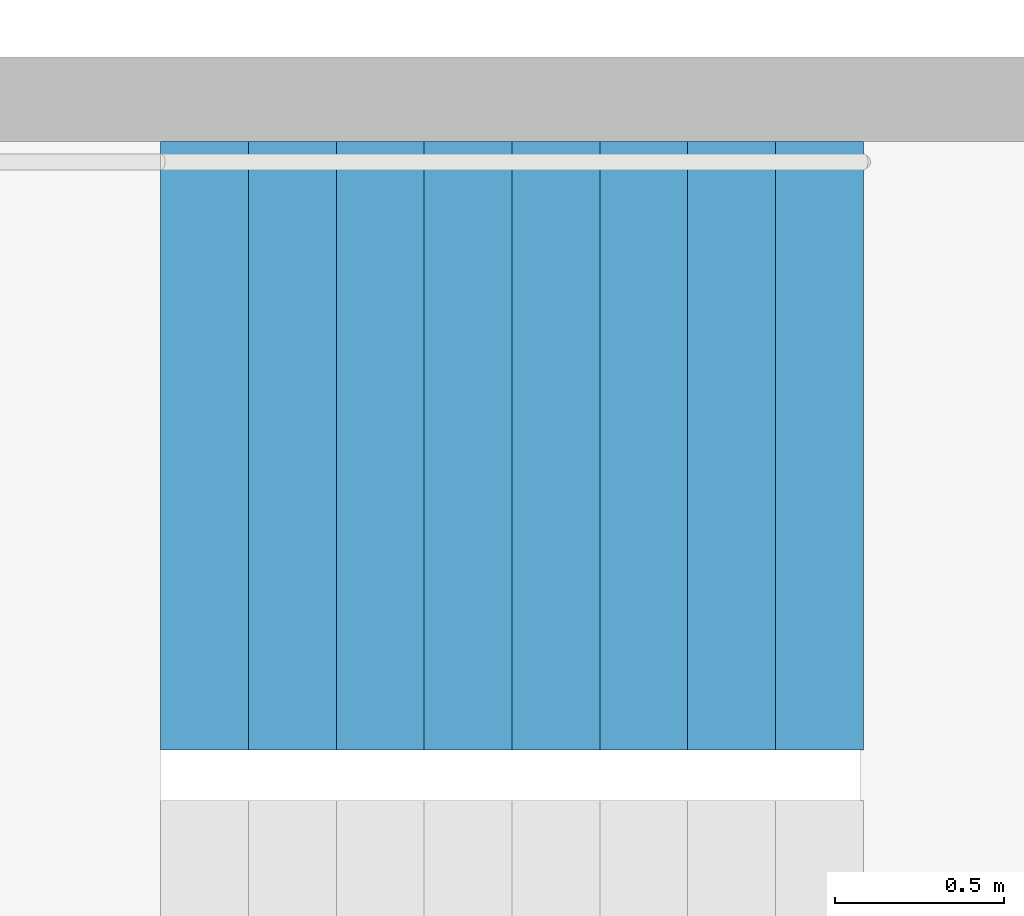
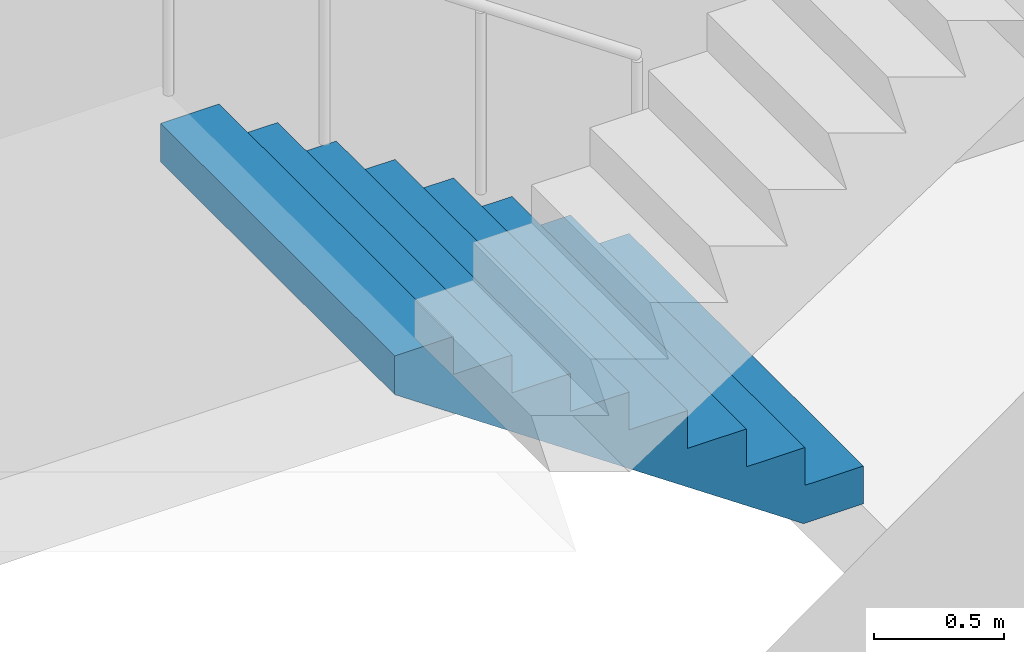
# One storey, part 21 of 28: 1 stair flight, 1 element without a shape of its own.
"""IFC4 building model written with IfcOpenShell, lengths in metres."""

import ifcopenshell
import ifcopenshell.guid

model = None  # the IFC model being written
_history = None  # IfcOwnerHistory: only IFC2X3 demands one
_inside = {}  # id of a spatial element -> (the spatial element, [elements in it])
_under = {}  # id of a project, library or spatial element -> (it, [spatial elements below it])
_declared = {}  # id of a project -> (the project, [libraries it declares])
_typed = {}  # id of a type object -> (the type object, [elements of that type])
_made_of = {}  # id of a material, layer set ... -> (it, [elements and type objects made of it])


def new_model(schema):
    """Start an empty IFC model of exactly this schema.

    Asked for "IFC4X3", IfcOpenShell would pick the latest addendum, in which some entities
    have other attributes; the version numbers below select the first issue.
    IFC2X3 requires an IfcOwnerHistory on every rooted entity: one is made here for all.
    """
    global model, _history
    if schema == "IFC4X3":
        model = ifcopenshell.file(schema_version=(4, 3, 0, 0))
    else:
        model = ifcopenshell.file(schema=schema)
    _inside.clear()
    _under.clear()
    _declared.clear()
    _typed.clear()
    _made_of.clear()
    _history = None
    if model.schema == "IFC2X3":
        org = make("IfcOrganization", Name="unknown")
        user = make(
            "IfcPersonAndOrganization",
            ThePerson=make("IfcPerson", FamilyName="unknown"),
            TheOrganization=org,
        )
        app = make(
            "IfcApplication",
            ApplicationDeveloper=org,
            Version="unknown",
            ApplicationFullName="unknown",
            ApplicationIdentifier="unknown",
        )
        _history = make(
            "IfcOwnerHistory",
            OwningUser=user,
            OwningApplication=app,
            ChangeAction="ADDED",
            CreationDate=0,
        )
    return model


def make(cls, **values):
    """One entity of the class cls with the attributes given. An attribute that is None is left unset."""
    return model.create_entity(
        cls, **{name: value for name, value in values.items() if value is not None}
    )


def rooted(cls, **values):
    """An entity with a GlobalId (a new one), such as an element, a storey or a relation."""
    return make(cls, GlobalId=ifcopenshell.guid.new(), OwnerHistory=_history, **values)


def si_unit(unit_type, name, prefix=None):
    """IfcSIUnit, for example si_unit("LENGTHUNIT", "METRE", prefix="MILLI")."""
    return make("IfcSIUnit", UnitType=unit_type, Prefix=prefix, Name=name)


def assignment(units):
    """IfcUnitAssignment: the units of a project."""
    return None if units is None else make("IfcUnitAssignment", Units=units)


def point(xyz):
    """IfcCartesianPoint."""
    return None if xyz is None else make("IfcCartesianPoint", Coordinates=xyz)


def direction(xyz):
    """IfcDirection."""
    return None if xyz is None else make("IfcDirection", DirectionRatios=xyz)


def frame(location, z_axis=None, x_axis=None):
    """IfcAxis2Placement3D, a coordinate frame: its origin and axes. An axis left out is left unset."""
    return make(
        "IfcAxis2Placement3D",
        Location=point(location),
        Axis=direction(z_axis),
        RefDirection=direction(x_axis),
    )


def origin():
    """The frame at (0, 0, 0) with its axes left unset."""
    return frame((0.0, 0.0, 0.0))


def place(relative_to, where):
    """IfcLocalPlacement: puts the frame where relative to a parent placement (None: the world)."""
    return make(
        "IfcLocalPlacement", PlacementRelTo=relative_to, RelativePlacement=where
    )


def context(
    kind, dimensions, precision=None, world=None, true_north=None, identifier=None
):
    """IfcGeometricRepresentationContext, for example the 3D "Model" context."""
    return make(
        "IfcGeometricRepresentationContext",
        ContextIdentifier=identifier,
        ContextType=kind,
        CoordinateSpaceDimension=dimensions,
        Precision=precision,
        WorldCoordinateSystem=world,
        TrueNorth=true_north,
    )


def subcontext(parent, identifier, kind, view, scale=None):
    """IfcGeometricRepresentationSubContext, for example "Body" below "Model"."""
    return make(
        "IfcGeometricRepresentationSubContext",
        ContextIdentifier=identifier,
        ContextType=kind,
        ParentContext=parent,
        TargetScale=scale,
        TargetView=view,
    )


def project(units=None, contexts=None):
    """IfcProject with its units and contexts."""
    return rooted(
        "IfcProject",
        Name="project",
        RepresentationContexts=contexts,
        UnitsInContext=assignment(units),
    )


def spatial(cls, under=None, at=None, **own):
    """A site, building, storey or space (cls), placed at a placement, below another one or the project."""
    s = rooted(cls, ObjectPlacement=at, **own)
    if under is not None:
        _under.setdefault(under.id(), (under, []))[1].append(s)
    return s


def point_list(points):
    """IfcCartesianPointList2D or 3D."""
    cls = (
        "IfcCartesianPointList2D" if len(points[0]) == 2 else "IfcCartesianPointList3D"
    )
    return make(cls, CoordList=points)


def triangles(points, corners, closed=None, point_numbers=None):
    """IfcTriangulatedFaceSet: each triangle names its three corners, points numbered from 1."""
    return make(
        "IfcTriangulatedFaceSet",
        Coordinates=point_list(points),
        Closed=closed,
        CoordIndex=corners,
        PnIndex=point_numbers,
    )


def shape(context_of_items, identifier, shape_type, items):
    """IfcShapeRepresentation: the items that make up one representation, for example the "Body"."""
    return make(
        "IfcShapeRepresentation",
        ContextOfItems=context_of_items,
        RepresentationIdentifier=identifier,
        RepresentationType=shape_type,
        Items=items,
    )


def material(Name=None, Category=None):
    """IfcMaterial."""
    return make("IfcMaterial", Name=Name, Category=Category)


def made_of(thing, what):
    """Note that an element or type object is made of a material, layer set ...; save() writes the relation."""
    if what is not None:
        _made_of.setdefault(what.id(), (what, []))[1].append(thing)
    return thing


def type_object(cls, material=None, **own):
    """A type object (cls), such as IfcWallType, which elements share."""
    return made_of(rooted(cls, **own), material)


def element(
    cls,
    number,
    at=None,
    inside=None,
    cuts=None,
    type_object=None,
    material=None,
    context=None,
    identifier="Body",
    shape_type=None,
    held_by="IfcProductDefinitionShape",
    body=None,
    shapes=None,
    **own,
):
    """One element of the class cls, such as IfcWall. Its Tag is "e" and its number.

    at: its placement. inside: the storey or other place that contains it. cuts: it is an
    opening in that element (IfcRelVoidsElement). A single representation is given by context,
    identifier, shape_type and body (its items); several are given by shapes. held_by: the class
    of the entity that holds the representations. save() writes the other relations.
    """
    e = rooted(cls, Tag="e%d" % number, ObjectPlacement=at, **own)
    if body is not None:
        shapes = [shape(context, identifier, shape_type, body)]
    if shapes is not None:
        e.Representation = make(held_by, Representations=shapes)
    if inside is not None:
        _inside.setdefault(inside.id(), (inside, []))[1].append(e)
    if cuts is not None:
        rooted(
            "IfcRelVoidsElement", RelatingBuildingElement=cuts, RelatedOpeningElement=e
        )
    if type_object is not None:
        _typed.setdefault(type_object.id(), (type_object, []))[1].append(e)
    return made_of(e, material)


def aggregate(whole, parts):
    """IfcRelAggregates: a whole, such as a stair, and the parts it consists of."""
    return rooted("IfcRelAggregates", RelatingObject=whole, RelatedObjects=parts)


def save(model, path):
    """Write the relations noted so far, then the file.

    IfcRelAggregates (storeys below a building ...), IfcRelContainedInSpatialStructure (elements
    in a storey), IfcRelDefinesByType, IfcRelAssociatesMaterial and IfcRelDeclares: one each for
    every whole, place, type object, material and project.
    """
    for whole, parts in _under.values():
        aggregate(whole, parts)
    for where, things in _inside.values():
        rooted(
            "IfcRelContainedInSpatialStructure",
            RelatedElements=things,
            RelatingStructure=where,
        )
    for kind, things in _typed.values():
        rooted("IfcRelDefinesByType", RelatedObjects=things, RelatingType=kind)
    for what, things in _made_of.values():
        rooted("IfcRelAssociatesMaterial", RelatedObjects=things, RelatingMaterial=what)
    for by, libraries in _declared.values():
        rooted("IfcRelDeclares", RelatingContext=by, RelatedDefinitions=libraries)
    model.write(path)


model = new_model("IFC4")

# Units and contexts
model_context = context("Model", 3, precision=1e-05, world=origin(), true_north=direction((0.0, 1.0)))
body_context = subcontext(model_context, "Body", "Model", "MODEL_VIEW")
ifc_project = project(units=[si_unit("LENGTHUNIT", "METRE"), si_unit("AREAUNIT", "SQUARE_METRE"), si_unit("VOLUMEUNIT", "CUBIC_METRE"), si_unit("PLANEANGLEUNIT", "RADIAN"), si_unit("MASSUNIT", "GRAM", prefix="KILO")], contexts=[model_context])

# Site, building, storey
site_placement = place(None, origin())
site = spatial("IfcSite", under=ifc_project, at=site_placement, CompositionType="ELEMENT")
building_placement = place(site_placement, origin())
building = spatial("IfcBuilding", under=site, at=building_placement, Name="Hakoniwa Tower and Hamabe Station Hall", CompositionType="ELEMENT")
storey_placement = place(building_placement, frame((0.0, 0.0, 42.199951171875)))
storey = spatial("IfcBuildingStorey", under=building, at=storey_placement, Name="L11", CompositionType="ELEMENT", Elevation=42.199951171875)

# Stair, stair flight
ifc_material_1 = material(Name="Concrete C40", Category="concrete")
stair_type = type_object("IfcStairType", Name="ESCAPE STAIR 1800", PredefinedType="HALF_TURN_STAIR", material=ifc_material_1)
stair_placement = place(storey_placement, origin())
stair = element("IfcStair", 1, at=stair_placement, inside=storey, type_object=stair_type, Name="Escape stair ST-2 L11", PredefinedType="HALF_TURN_STAIR")
ifc_material_2 = material(Name="Concrete C40", Category="concrete")
stair_flight_type = type_object("IfcStairFlightType", Name="STAIR FLIGHT 1800", PredefinedType="STRAIGHT", material=ifc_material_2)
stair_flight_placement = place(storey_placement, frame((-23.39990234375, -4.64990234375, 0.0), z_axis=(0.0, 0.0, 1.0), x_axis=(-1.0, 0.0, 0.0)))
stair_flight = element("IfcStairFlight", 2, at=stair_flight_placement, type_object=stair_flight_type, Name="ST-2 flight 1", NumberOfRisers=9, NumberOfTreads=8, PredefinedType="STRAIGHT", RiserHeight=0.177777778, TreadLength=0.26, context=body_context, shape_type="Tessellation", body=[
    triangles([(0.0, 0.89990234375, 0.0), (0.260009765625, 0.89990234375, 0.0), (0.265625, 0.89990234375, 0.0), (0.52001953125, 0.89990234375, 0.174072265625), (0.780029296875, 0.89990234375, 0.351806640625), (1.0400390625, 0.89990234375, 0.529541015625), (1.300048828125, 0.89990234375, 0.707275390625), (1.56005859375, 0.89990234375, 0.885009765625), (1.820068359375, 0.89990234375, 1.062744140625), (2.080078125, 0.89990234375, 1.24072265625), (2.080078125, 0.89990234375, 1.422119140625), (1.820068359375, 0.89990234375, 1.422119140625), (1.820068359375, 0.89990234375, 1.244384765625), (1.56005859375, 0.89990234375, 1.244384765625), (1.56005859375, 0.89990234375, 1.066650390625), (1.300048828125, 0.89990234375, 1.066650390625), (1.300048828125, 0.89990234375, 0.888916015625), (1.0400390625, 0.89990234375, 0.888916015625), (1.0400390625, 0.89990234375, 0.711181640625), (0.780029296875, 0.89990234375, 0.711181640625), (0.780029296875, 0.89990234375, 0.533447265625), (0.52001953125, 0.89990234375, 0.533447265625), (0.52001953125, 0.89990234375, 0.35546875), (0.265625, 0.89990234375, 0.35546875), (0.260009765625, 0.89990234375, 0.35546875), (0.260009765625, 0.89990234375, 0.177734375), (0.0, 0.89990234375, 0.177734375), (0.0, 0.06005859375, 0.0), (0.260009765625, 0.06005859375, 0.0), (0.265625, 0.06005859375, 0.0), (0.52001953125, 0.06005859375, 0.174072265625), (0.780029296875, 0.06005859375, 0.351806640625), (1.0400390625, 0.06005859375, 0.529541015625), (1.300048828125, 0.06005859375, 0.707275390625), (1.56005859375, 0.06005859375, 0.885009765625), (1.820068359375, 0.06005859375, 1.062744140625), (2.080078125, 0.06005859375, 1.24072265625), (2.080078125, 0.06005859375, 1.422119140625), (1.820068359375, 0.06005859375, 1.422119140625), (1.820068359375, 0.06005859375, 1.244384765625), (1.56005859375, 0.06005859375, 1.244384765625), (1.56005859375, 0.06005859375, 1.066650390625), (1.300048828125, 0.06005859375, 1.066650390625), (1.300048828125, 0.06005859375, 0.888916015625), (1.0400390625, 0.06005859375, 0.888916015625), (1.0400390625, 0.06005859375, 0.711181640625), (0.780029296875, 0.06005859375, 0.711181640625), (0.780029296875, 0.06005859375, 0.533447265625), (0.52001953125, 0.06005859375, 0.533447265625), (0.52001953125, 0.06005859375, 0.35546875), (0.265625, 0.06005859375, 0.35546875), (0.260009765625, 0.06005859375, 0.35546875), (0.260009765625, 0.06005859375, 0.177734375), (0.0, 0.06005859375, 0.177734375), (0.0, 0.04296875, 0.0), (0.260009765625, 0.04296875, 0.0), (0.265625, 0.04296875, 0.0), (0.52001953125, 0.04296875, 0.174072265625), (0.780029296875, 0.04296875, 0.351806640625), (1.0400390625, 0.04296875, 0.529541015625), (1.300048828125, 0.04296875, 0.707275390625), (1.56005859375, 0.04296875, 0.885009765625), (1.820068359375, 0.04296875, 1.062744140625), (2.080078125, 0.04296875, 1.24072265625), (2.080078125, 0.04296875, 1.422119140625), (1.820068359375, 0.04296875, 1.422119140625), (1.820068359375, 0.04296875, 1.244384765625), (1.56005859375, 0.04296875, 1.244384765625), (1.56005859375, 0.04296875, 1.066650390625), (1.300048828125, 0.04296875, 1.066650390625), (1.300048828125, 0.04296875, 0.888916015625), (1.0400390625, 0.04296875, 0.888916015625), (1.0400390625, 0.04296875, 0.711181640625), (0.780029296875, 0.04296875, 0.711181640625), (0.780029296875, 0.04296875, 0.533447265625), (0.52001953125, 0.04296875, 0.533447265625), (0.52001953125, 0.04296875, 0.35546875), (0.265625, 0.04296875, 0.35546875), (0.260009765625, 0.04296875, 0.35546875), (0.260009765625, 0.04296875, 0.177734375), (0.0, 0.04296875, 0.177734375), (0.0, 0.025634765625, 0.0), (0.260009765625, 0.025634765625, 0.0), (0.265625, 0.025634765625, 0.0), (0.52001953125, 0.025634765625, 0.174072265625), (0.780029296875, 0.025634765625, 0.351806640625), (1.0400390625, 0.025634765625, 0.529541015625), (1.300048828125, 0.025634765625, 0.707275390625), (1.56005859375, 0.025634765625, 0.885009765625), (1.820068359375, 0.025634765625, 1.062744140625), (2.080078125, 0.025634765625, 1.24072265625), (2.080078125, 0.025634765625, 1.422119140625), (1.820068359375, 0.025634765625, 1.422119140625), (1.820068359375, 0.025634765625, 1.244384765625), (1.56005859375, 0.025634765625, 1.244384765625), (1.56005859375, 0.025634765625, 1.066650390625), (1.300048828125, 0.025634765625, 1.066650390625), (1.300048828125, 0.025634765625, 0.888916015625), (1.0400390625, 0.025634765625, 0.888916015625), (1.0400390625, 0.025634765625, 0.711181640625), (0.780029296875, 0.025634765625, 0.711181640625), (0.780029296875, 0.025634765625, 0.533447265625), (0.52001953125, 0.025634765625, 0.533447265625), (0.52001953125, 0.025634765625, 0.35546875), (0.265625, 0.025634765625, 0.35546875), (0.260009765625, 0.025634765625, 0.35546875), (0.260009765625, 0.025634765625, 0.177734375), (0.0, 0.025634765625, 0.177734375), (0.0, 0.008544921875, 0.0), (0.260009765625, 0.008544921875, 0.0), (0.265625, 0.008544921875, 0.0), (0.52001953125, 0.008544921875, 0.174072265625), (0.780029296875, 0.008544921875, 0.351806640625), (1.0400390625, 0.008544921875, 0.529541015625), (1.300048828125, 0.008544921875, 0.707275390625), (1.56005859375, 0.008544921875, 0.885009765625), (1.820068359375, 0.008544921875, 1.062744140625), (2.080078125, 0.008544921875, 1.24072265625), (2.080078125, 0.008544921875, 1.422119140625), (1.820068359375, 0.008544921875, 1.422119140625), (1.820068359375, 0.008544921875, 1.244384765625), (1.56005859375, 0.008544921875, 1.244384765625), (1.56005859375, 0.008544921875, 1.066650390625), (1.300048828125, 0.008544921875, 1.066650390625), (1.300048828125, 0.008544921875, 0.888916015625), (1.0400390625, 0.008544921875, 0.888916015625), (1.0400390625, 0.008544921875, 0.711181640625), (0.780029296875, 0.008544921875, 0.711181640625), (0.780029296875, 0.008544921875, 0.533447265625), (0.52001953125, 0.008544921875, 0.533447265625), (0.52001953125, 0.008544921875, 0.35546875), (0.265625, 0.008544921875, 0.35546875), (0.260009765625, 0.008544921875, 0.35546875), (0.260009765625, 0.008544921875, 0.177734375), (0.0, 0.008544921875, 0.177734375), (0.0, -0.008544921875, 0.0), (0.260009765625, -0.008544921875, 0.0), (0.265625, -0.008544921875, 0.0), (0.52001953125, -0.008544921875, 0.174072265625), (0.780029296875, -0.008544921875, 0.351806640625), (1.0400390625, -0.008544921875, 0.529541015625), (1.300048828125, -0.008544921875, 0.707275390625), (1.56005859375, -0.008544921875, 0.885009765625), (1.820068359375, -0.008544921875, 1.062744140625), (2.080078125, -0.008544921875, 1.24072265625), (2.080078125, -0.008544921875, 1.422119140625), (1.820068359375, -0.008544921875, 1.422119140625), (1.820068359375, -0.008544921875, 1.244384765625), (1.56005859375, -0.008544921875, 1.244384765625), (1.56005859375, -0.008544921875, 1.066650390625), (1.300048828125, -0.008544921875, 1.066650390625), (1.300048828125, -0.008544921875, 0.888916015625), (1.0400390625, -0.008544921875, 0.888916015625), (1.0400390625, -0.008544921875, 0.711181640625), (0.780029296875, -0.008544921875, 0.711181640625), (0.780029296875, -0.008544921875, 0.533447265625), (0.52001953125, -0.008544921875, 0.533447265625), (0.52001953125, -0.008544921875, 0.35546875), (0.265625, -0.008544921875, 0.35546875), (0.260009765625, -0.008544921875, 0.35546875), (0.260009765625, -0.008544921875, 0.177734375), (0.0, -0.008544921875, 0.177734375), (0.0, -0.025634765625, 0.0), (0.260009765625, -0.025634765625, 0.0), (0.265625, -0.025634765625, 0.0), (0.52001953125, -0.025634765625, 0.174072265625), (0.780029296875, -0.025634765625, 0.351806640625), (1.0400390625, -0.025634765625, 0.529541015625), (1.300048828125, -0.025634765625, 0.707275390625), (1.56005859375, -0.025634765625, 0.885009765625), (1.820068359375, -0.025634765625, 1.062744140625), (2.080078125, -0.025634765625, 1.24072265625), (2.080078125, -0.025634765625, 1.422119140625), (1.820068359375, -0.025634765625, 1.422119140625), (1.820068359375, -0.025634765625, 1.244384765625), (1.56005859375, -0.025634765625, 1.244384765625), (1.56005859375, -0.025634765625, 1.066650390625), (1.300048828125, -0.025634765625, 1.066650390625), (1.300048828125, -0.025634765625, 0.888916015625), (1.0400390625, -0.025634765625, 0.888916015625), (1.0400390625, -0.025634765625, 0.711181640625), (0.780029296875, -0.025634765625, 0.711181640625), (0.780029296875, -0.025634765625, 0.533447265625), (0.52001953125, -0.025634765625, 0.533447265625), (0.52001953125, -0.025634765625, 0.35546875), (0.265625, -0.025634765625, 0.35546875), (0.260009765625, -0.025634765625, 0.35546875), (0.260009765625, -0.025634765625, 0.177734375), (0.0, -0.025634765625, 0.177734375), (0.0, -0.04296875, 0.0), (0.260009765625, -0.04296875, 0.0), (0.265625, -0.04296875, 0.0), (0.52001953125, -0.04296875, 0.174072265625), (0.780029296875, -0.04296875, 0.351806640625), (1.0400390625, -0.04296875, 0.529541015625), (1.300048828125, -0.04296875, 0.707275390625), (1.56005859375, -0.04296875, 0.885009765625), (1.820068359375, -0.04296875, 1.062744140625), (2.080078125, -0.04296875, 1.24072265625), (2.080078125, -0.04296875, 1.422119140625), (1.820068359375, -0.04296875, 1.422119140625), (1.820068359375, -0.04296875, 1.244384765625), (1.56005859375, -0.04296875, 1.244384765625), (1.56005859375, -0.04296875, 1.066650390625), (1.300048828125, -0.04296875, 1.066650390625), (1.300048828125, -0.04296875, 0.888916015625), (1.0400390625, -0.04296875, 0.888916015625), (1.0400390625, -0.04296875, 0.711181640625), (0.780029296875, -0.04296875, 0.711181640625), (0.780029296875, -0.04296875, 0.533447265625), (0.52001953125, -0.04296875, 0.533447265625), (0.52001953125, -0.04296875, 0.35546875), (0.265625, -0.04296875, 0.35546875), (0.260009765625, -0.04296875, 0.35546875), (0.260009765625, -0.04296875, 0.177734375), (0.0, -0.04296875, 0.177734375), (0.0, -0.06005859375, 0.0), (0.260009765625, -0.06005859375, 0.0), (0.265625, -0.06005859375, 0.0), (0.52001953125, -0.06005859375, 0.174072265625), (0.780029296875, -0.06005859375, 0.351806640625), (1.0400390625, -0.06005859375, 0.529541015625), (1.300048828125, -0.06005859375, 0.707275390625), (1.56005859375, -0.06005859375, 0.885009765625), (1.820068359375, -0.06005859375, 1.062744140625), (2.080078125, -0.06005859375, 1.24072265625), (2.080078125, -0.06005859375, 1.422119140625), (1.820068359375, -0.06005859375, 1.422119140625), (1.820068359375, -0.06005859375, 1.244384765625), (1.56005859375, -0.06005859375, 1.244384765625), (1.56005859375, -0.06005859375, 1.066650390625), (1.300048828125, -0.06005859375, 1.066650390625), (1.300048828125, -0.06005859375, 0.888916015625), (1.0400390625, -0.06005859375, 0.888916015625), (1.0400390625, -0.06005859375, 0.711181640625), (0.780029296875, -0.06005859375, 0.711181640625), (0.780029296875, -0.06005859375, 0.533447265625), (0.52001953125, -0.06005859375, 0.533447265625), (0.52001953125, -0.06005859375, 0.35546875), (0.265625, -0.06005859375, 0.35546875), (0.260009765625, -0.06005859375, 0.35546875), (0.260009765625, -0.06005859375, 0.177734375), (0.0, -0.06005859375, 0.177734375), (0.0, -0.89990234375, 0.0), (0.260009765625, -0.89990234375, 0.0), (0.265625, -0.89990234375, 0.0), (0.52001953125, -0.89990234375, 0.174072265625), (0.780029296875, -0.89990234375, 0.351806640625), (1.0400390625, -0.89990234375, 0.529541015625), (1.300048828125, -0.89990234375, 0.707275390625), (1.56005859375, -0.89990234375, 0.885009765625), (1.820068359375, -0.89990234375, 1.062744140625), (2.080078125, -0.89990234375, 1.24072265625), (2.080078125, -0.89990234375, 1.422119140625), (1.820068359375, -0.89990234375, 1.422119140625), (1.820068359375, -0.89990234375, 1.244384765625), (1.56005859375, -0.89990234375, 1.244384765625), (1.56005859375, -0.89990234375, 1.066650390625), (1.300048828125, -0.89990234375, 1.066650390625), (1.300048828125, -0.89990234375, 0.888916015625), (1.0400390625, -0.89990234375, 0.888916015625), (1.0400390625, -0.89990234375, 0.711181640625), (0.780029296875, -0.89990234375, 0.711181640625), (0.780029296875, -0.89990234375, 0.533447265625), (0.52001953125, -0.89990234375, 0.533447265625), (0.52001953125, -0.89990234375, 0.35546875), (0.265625, -0.89990234375, 0.35546875), (0.260009765625, -0.89990234375, 0.35546875), (0.260009765625, -0.89990234375, 0.177734375), (0.0, -0.89990234375, 0.177734375)], [[2, 27, 26], [245, 269, 270], [2, 1, 27], [245, 270, 244], [3, 25, 24], [246, 267, 268], [3, 26, 25], [246, 268, 269], [3, 2, 26], [246, 269, 245], [4, 24, 23], [247, 266, 267], [4, 3, 24], [247, 267, 246], [5, 22, 21], [248, 264, 265], [5, 23, 22], [248, 265, 266], [5, 4, 23], [248, 266, 247], [6, 20, 19], [249, 262, 263], [6, 21, 20], [249, 263, 264], [6, 5, 21], [249, 264, 248], [7, 18, 17], [250, 260, 261], [7, 19, 18], [250, 261, 262], [7, 6, 19], [250, 262, 249], [8, 16, 15], [251, 258, 259], [8, 17, 16], [251, 259, 260], [8, 7, 17], [251, 260, 250], [9, 14, 13], [252, 256, 257], [9, 15, 14], [252, 257, 258], [9, 8, 15], [252, 258, 251], [10, 12, 11], [253, 254, 255], [10, 13, 12], [253, 255, 256], [10, 9, 13], [253, 256, 252], [1, 2, 29], [1, 29, 28], [28, 29, 56], [28, 56, 55], [55, 56, 83], [55, 83, 82], [82, 83, 110], [82, 110, 109], [109, 110, 137], [109, 137, 136], [136, 137, 164], [136, 164, 163], [163, 164, 191], [163, 191, 190], [190, 191, 218], [190, 218, 217], [217, 218, 245], [217, 245, 244], [2, 3, 30], [2, 30, 29], [29, 30, 57], [29, 57, 56], [56, 57, 84], [56, 84, 83], [83, 84, 111], [83, 111, 110], [110, 111, 138], [110, 138, 137], [137, 138, 165], [137, 165, 164], [164, 165, 192], [164, 192, 191], [191, 192, 219], [191, 219, 218], [218, 219, 246], [218, 246, 245], [3, 4, 31], [3, 31, 30], [30, 31, 58], [30, 58, 57], [57, 58, 85], [57, 85, 84], [84, 85, 112], [84, 112, 111], [111, 112, 139], [111, 139, 138], [138, 139, 166], [138, 166, 165], [165, 166, 193], [165, 193, 192], [192, 193, 220], [192, 220, 219], [219, 220, 247], [219, 247, 246], [4, 5, 32], [4, 32, 31], [31, 32, 59], [31, 59, 58], [58, 59, 86], [58, 86, 85], [85, 86, 113], [85, 113, 112], [112, 113, 140], [112, 140, 139], [139, 140, 167], [139, 167, 166], [166, 167, 194], [166, 194, 193], [193, 194, 221], [193, 221, 220], [220, 221, 248], [220, 248, 247], [5, 6, 33], [5, 33, 32], [32, 33, 60], [32, 60, 59], [59, 60, 87], [59, 87, 86], [86, 87, 114], [86, 114, 113], [113, 114, 141], [113, 141, 140], [140, 141, 168], [140, 168, 167], [167, 168, 195], [167, 195, 194], [194, 195, 222], [194, 222, 221], [221, 222, 249], [221, 249, 248], [6, 7, 34], [6, 34, 33], [33, 34, 61], [33, 61, 60], [60, 61, 88], [60, 88, 87], [87, 88, 115], [87, 115, 114], [114, 115, 142], [114, 142, 141], [141, 142, 169], [141, 169, 168], [168, 169, 196], [168, 196, 195], [195, 196, 223], [195, 223, 222], [222, 223, 250], [222, 250, 249], [7, 8, 35], [7, 35, 34], [34, 35, 62], [34, 62, 61], [61, 62, 89], [61, 89, 88], [88, 89, 116], [88, 116, 115], [115, 116, 143], [115, 143, 142], [142, 143, 170], [142, 170, 169], [169, 170, 197], [169, 197, 196], [196, 197, 224], [196, 224, 223], [223, 224, 251], [223, 251, 250], [8, 9, 36], [8, 36, 35], [35, 36, 63], [35, 63, 62], [62, 63, 90], [62, 90, 89], [89, 90, 117], [89, 117, 116], [116, 117, 144], [116, 144, 143], [143, 144, 171], [143, 171, 170], [170, 171, 198], [170, 198, 197], [197, 198, 225], [197, 225, 224], [224, 225, 252], [224, 252, 251], [9, 10, 37], [9, 37, 36], [36, 37, 64], [36, 64, 63], [63, 64, 91], [63, 91, 90], [90, 91, 118], [90, 118, 117], [117, 118, 145], [117, 145, 144], [144, 145, 172], [144, 172, 171], [171, 172, 199], [171, 199, 198], [198, 199, 226], [198, 226, 225], [225, 226, 253], [225, 253, 252], [10, 11, 38], [10, 38, 37], [37, 38, 65], [37, 65, 64], [64, 65, 92], [64, 92, 91], [91, 92, 119], [91, 119, 118], [118, 119, 146], [118, 146, 145], [145, 146, 173], [145, 173, 172], [172, 173, 200], [172, 200, 199], [199, 200, 227], [199, 227, 226], [226, 227, 254], [226, 254, 253], [11, 12, 39], [11, 39, 38], [38, 39, 66], [38, 66, 65], [65, 66, 93], [65, 93, 92], [92, 93, 120], [92, 120, 119], [119, 120, 147], [119, 147, 146], [146, 147, 174], [146, 174, 173], [173, 174, 201], [173, 201, 200], [200, 201, 228], [200, 228, 227], [227, 228, 255], [227, 255, 254], [12, 13, 40], [12, 40, 39], [39, 40, 67], [39, 67, 66], [66, 67, 94], [66, 94, 93], [93, 94, 121], [93, 121, 120], [120, 121, 148], [120, 148, 147], [147, 148, 175], [147, 175, 174], [174, 175, 202], [174, 202, 201], [201, 202, 229], [201, 229, 228], [228, 229, 256], [228, 256, 255], [13, 14, 41], [13, 41, 40], [40, 41, 68], [40, 68, 67], [67, 68, 95], [67, 95, 94], [94, 95, 122], [94, 122, 121], [121, 122, 149], [121, 149, 148], [148, 149, 176], [148, 176, 175], [175, 176, 203], [175, 203, 202], [202, 203, 230], [202, 230, 229], [229, 230, 257], [229, 257, 256], [14, 15, 42], [14, 42, 41], [41, 42, 69], [41, 69, 68], [68, 69, 96], [68, 96, 95], [95, 96, 123], [95, 123, 122], [122, 123, 150], [122, 150, 149], [149, 150, 177], [149, 177, 176], [176, 177, 204], [176, 204, 203], [203, 204, 231], [203, 231, 230], [230, 231, 258], [230, 258, 257], [15, 16, 43], [15, 43, 42], [42, 43, 70], [42, 70, 69], [69, 70, 97], [69, 97, 96], [96, 97, 124], [96, 124, 123], [123, 124, 151], [123, 151, 150], [150, 151, 178], [150, 178, 177], [177, 178, 205], [177, 205, 204], [204, 205, 232], [204, 232, 231], [231, 232, 259], [231, 259, 258], [16, 17, 44], [16, 44, 43], [43, 44, 71], [43, 71, 70], [70, 71, 98], [70, 98, 97], [97, 98, 125], [97, 125, 124], [124, 125, 152], [124, 152, 151], [151, 152, 179], [151, 179, 178], [178, 179, 206], [178, 206, 205], [205, 206, 233], [205, 233, 232], [232, 233, 260], [232, 260, 259], [17, 18, 45], [17, 45, 44], [44, 45, 72], [44, 72, 71], [71, 72, 99], [71, 99, 98], [98, 99, 126], [98, 126, 125], [125, 126, 153], [125, 153, 152], [152, 153, 180], [152, 180, 179], [179, 180, 207], [179, 207, 206], [206, 207, 234], [206, 234, 233], [233, 234, 261], [233, 261, 260], [18, 19, 46], [18, 46, 45], [45, 46, 73], [45, 73, 72], [72, 73, 100], [72, 100, 99], [99, 100, 127], [99, 127, 126], [126, 127, 154], [126, 154, 153], [153, 154, 181], [153, 181, 180], [180, 181, 208], [180, 208, 207], [207, 208, 235], [207, 235, 234], [234, 235, 262], [234, 262, 261], [19, 20, 47], [19, 47, 46], [46, 47, 74], [46, 74, 73], [73, 74, 101], [73, 101, 100], [100, 101, 128], [100, 128, 127], [127, 128, 155], [127, 155, 154], [154, 155, 182], [154, 182, 181], [181, 182, 209], [181, 209, 208], [208, 209, 236], [208, 236, 235], [235, 236, 263], [235, 263, 262], [20, 21, 48], [20, 48, 47], [47, 48, 75], [47, 75, 74], [74, 75, 102], [74, 102, 101], [101, 102, 129], [101, 129, 128], [128, 129, 156], [128, 156, 155], [155, 156, 183], [155, 183, 182], [182, 183, 210], [182, 210, 209], [209, 210, 237], [209, 237, 236], [236, 237, 264], [236, 264, 263], [21, 22, 49], [21, 49, 48], [48, 49, 76], [48, 76, 75], [75, 76, 103], [75, 103, 102], [102, 103, 130], [102, 130, 129], [129, 130, 157], [129, 157, 156], [156, 157, 184], [156, 184, 183], [183, 184, 211], [183, 211, 210], [210, 211, 238], [210, 238, 237], [237, 238, 265], [237, 265, 264], [22, 23, 50], [22, 50, 49], [49, 50, 77], [49, 77, 76], [76, 77, 104], [76, 104, 103], [103, 104, 131], [103, 131, 130], [130, 131, 158], [130, 158, 157], [157, 158, 185], [157, 185, 184], [184, 185, 212], [184, 212, 211], [211, 212, 239], [211, 239, 238], [238, 239, 266], [238, 266, 265], [23, 24, 51], [23, 51, 50], [50, 51, 78], [50, 78, 77], [77, 78, 105], [77, 105, 104], [104, 105, 132], [104, 132, 131], [131, 132, 159], [131, 159, 158], [158, 159, 186], [158, 186, 185], [185, 186, 213], [185, 213, 212], [212, 213, 240], [212, 240, 239], [239, 240, 267], [239, 267, 266], [24, 25, 52], [24, 52, 51], [51, 52, 79], [51, 79, 78], [78, 79, 106], [78, 106, 105], [105, 106, 133], [105, 133, 132], [132, 133, 160], [132, 160, 159], [159, 160, 187], [159, 187, 186], [186, 187, 214], [186, 214, 213], [213, 214, 241], [213, 241, 240], [240, 241, 268], [240, 268, 267], [25, 26, 53], [25, 53, 52], [52, 53, 80], [52, 80, 79], [79, 80, 107], [79, 107, 106], [106, 107, 134], [106, 134, 133], [133, 134, 161], [133, 161, 160], [160, 161, 188], [160, 188, 187], [187, 188, 215], [187, 215, 214], [214, 215, 242], [214, 242, 241], [241, 242, 269], [241, 269, 268], [26, 27, 54], [26, 54, 53], [53, 54, 81], [53, 81, 80], [80, 81, 108], [80, 108, 107], [107, 108, 135], [107, 135, 134], [134, 135, 162], [134, 162, 161], [161, 162, 189], [161, 189, 188], [188, 189, 216], [188, 216, 215], [215, 216, 243], [215, 243, 242], [242, 243, 270], [242, 270, 269], [27, 1, 28], [27, 28, 54], [54, 28, 55], [54, 55, 81], [81, 55, 82], [81, 82, 108], [108, 82, 109], [108, 109, 135], [135, 109, 136], [135, 136, 162], [162, 136, 163], [162, 163, 189], [189, 163, 190], [189, 190, 216], [216, 190, 217], [216, 217, 243], [243, 217, 244], [243, 244, 270]], closed=True),
])
aggregate(stair, [stair_flight])

save(model, "model.ifc")
